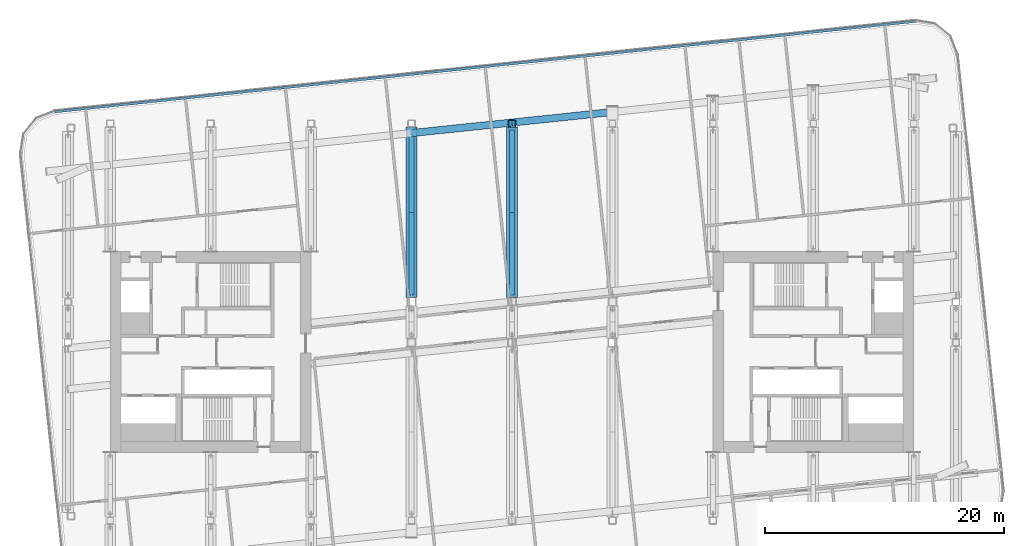
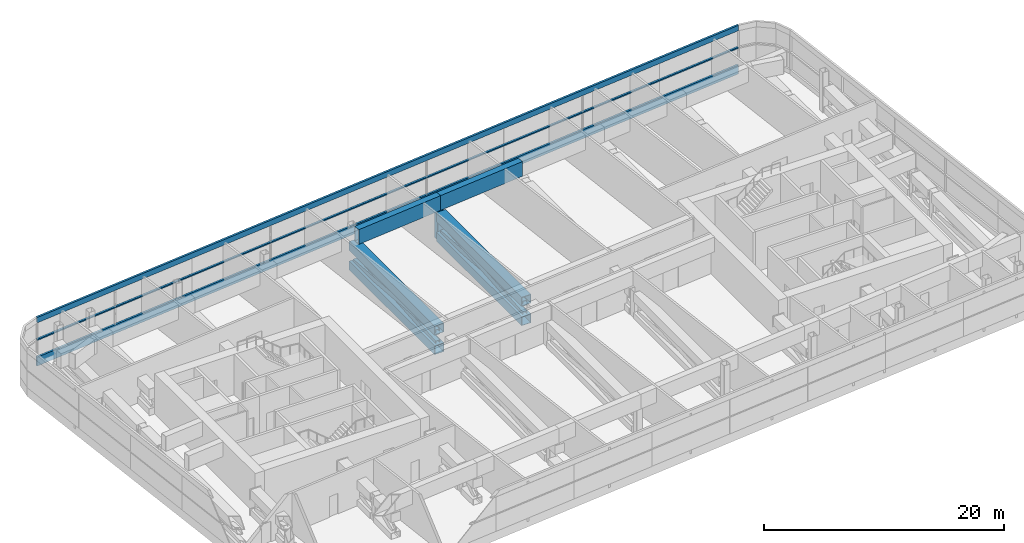
# One storey, part 10 of 33: 12 members, 2 beams, 1 element without a shape of its own.
"""IFC4 building model written with IfcOpenShell, lengths in metres."""

from ifc_helpers import new_model, si_unit, direction, frame, origin, origin_2d, place, context, subcontext, project, spatial, rectangle, hollow_rectangle, extrude, material, layer, layer_set, material_profile, profile_set, type_object, element, aggregate, save


model = new_model("IFC4")

# Units and contexts
model_context = context("Model", 3, precision=1e-05, world=origin(), true_north=direction((0.0, 1.0)))
body_context = subcontext(model_context, "Body", "Model", "MODEL_VIEW")
ifc_project = project(units=[si_unit("LENGTHUNIT", "METRE"), si_unit("AREAUNIT", "SQUARE_METRE"), si_unit("VOLUMEUNIT", "CUBIC_METRE"), si_unit("PLANEANGLEUNIT", "RADIAN"), si_unit("MASSUNIT", "GRAM", prefix="KILO")], contexts=[model_context])

# Site, building, storey
site_placement = place(None, origin())
site = spatial("IfcSite", under=ifc_project, at=site_placement, CompositionType="ELEMENT")
building_placement = place(site_placement, origin())
building = spatial("IfcBuilding", under=site, at=building_placement, Name="Hakoniwa Tower and Hamabe Station Hall", CompositionType="ELEMENT")
storey_placement = place(building_placement, frame((0.0, 0.0, 228.199951171875)))
storey = spatial("IfcBuildingStorey", under=building, at=storey_placement, Name="L65", CompositionType="ELEMENT", Elevation=228.199951171875)

# Curtain wall, members
ifc_material_1 = material(Name="Dark low-e laminated glass", Category="glass")
ifc_layer = layer(ifc_material_1, 0.199951171875)
ifc_layer_set = layer_set([ifc_layer], Name="CW-6 PLANT LOUVRE")
curtain_wall_type = type_object("IfcCurtainWallType", Name="CW-6 PLANT LOUVRE", PredefinedType="NOTDEFINED", material=ifc_layer_set)
curtain_wall_placement = place(storey_placement, origin())
curtain_wall = element("IfcCurtainWall", 1, at=curtain_wall_placement, inside=storey, type_object=curtain_wall_type, Name="CW-6 curtain wall", PredefinedType="NOTDEFINED")
ifc_material_2 = material(Name="Aluminium 6063-T5 black anodised", Category="aluminium")
ifc_material_profile_1 = material_profile(ifc_material_2, rectangle(XDim=0.199951171875, YDim=0.550048828125, at=origin_2d()), Name="CW HEAD BAND 550X200")
ifc_profile_set_1 = profile_set([ifc_material_profile_1], Name="Aluminium 6063-T5 black anodised")
member_type_1 = type_object("IfcMemberType", Name="CW HEAD BAND 550X200", PredefinedType="USERDEFINED", material=ifc_profile_set_1)
member_1_placement = place(storey_placement, frame((33.729736328125, 27.65380859375, 4.125), z_axis=(-0.994521860218, -0.104528797697, 0.0), x_axis=(0.104528797697, -0.994521860218, 0.0)))
member_1 = element("IfcMember", 2, at=member_1_placement, type_object=member_type_1, Name="CW-6 transom", ObjectType="TRANSOM", PredefinedType="USERDEFINED", context=body_context, shape_type="SweptSolid", body=[
    extrude(rectangle(XDim=0.199951171875, YDim=0.550048828125, at=origin_2d()), origin(), (0.0, 0.0, 1.0), 72.348388671875),
])
ifc_material_3 = material(Name="Aluminium 6063-T5 black anodised", Category="aluminium")
ifc_material_profile_2 = material_profile(ifc_material_3, rectangle(XDim=0.199951171875, YDim=0.1201171875, at=origin_2d()), Name="CW MID TRANSOM 120X200")
ifc_profile_set_2 = profile_set([ifc_material_profile_2], Name="Aluminium 6063-T5 black anodised")
member_type_2 = type_object("IfcMemberType", Name="CW MID TRANSOM 120X200", PredefinedType="USERDEFINED", material=ifc_profile_set_2)
member_2_placement = place(storey_placement, frame((33.729736328125, 27.65380859375, 2.10009765625), z_axis=(-0.994521860218, -0.104528797697, 0.0), x_axis=(0.104528797697, -0.994521860218, 0.0)))
member_2 = element("IfcMember", 3, at=member_2_placement, type_object=member_type_2, Name="CW-6 transom", ObjectType="TRANSOM", PredefinedType="USERDEFINED", context=body_context, shape_type="SweptSolid", body=[
    extrude(rectangle(XDim=0.199951171875, YDim=0.1201171875, at=origin_2d()), origin(), (0.0, 0.0, 1.0), 72.348388671875),
])
ifc_material_4 = material(Name="Aluminium 6063-T5 black anodised", Category="aluminium")
ifc_material_profile_3 = material_profile(ifc_material_4, rectangle(XDim=0.199951171875, YDim=0.89990234375, at=origin_2d()), Name="CW SLAB-EDGE BAND 900X200")
ifc_profile_set_3 = profile_set([ifc_material_profile_3], Name="Aluminium 6063-T5 black anodised")
member_type_3 = type_object("IfcMemberType", Name="CW SLAB-EDGE BAND 900X200", PredefinedType="USERDEFINED", material=ifc_profile_set_3)
member_3_placement = place(storey_placement, frame((33.729736328125, 27.65380859375, -0.099853515625), z_axis=(-0.994521860218, -0.104528797697, 0.0), x_axis=(0.104528797697, -0.994521860218, 0.0)))
member_3 = element("IfcMember", 4, at=member_3_placement, type_object=member_type_3, Name="CW-6 transom", ObjectType="TRANSOM", PredefinedType="USERDEFINED", context=body_context, shape_type="SweptSolid", body=[
    extrude(rectangle(XDim=0.199951171875, YDim=0.89990234375, at=origin_2d()), origin(), (0.0, 0.0, 1.0), 72.348388671875),
])
aggregate(curtain_wall, [member_3, member_2, member_1])

# Beams
ifc_material_5 = material(Name="Steel SN490C", Category="steel")
ifc_material_profile_4 = material_profile(ifc_material_5, hollow_rectangle(XDim=0.60009765625, YDim=1.5, WallThickness=0.054931640625, at=origin_2d()), Name="BX-1500x600x55")
ifc_profile_set_4 = profile_set([ifc_material_profile_4], Name="Steel SN490C")
beam_type = type_object("IfcBeamType", Name="TRANSFER GIRDER BX-1500x600x55", PredefinedType="BEAM", material=ifc_profile_set_4)
for number, where, z_axis, x_axis, name in (
    (5, (-8.39990234375, 18.30859375, 3.35009765625), (0.994522545364, 0.10452227879, 0.0), (-0.10452227879, 0.994522545364, 0.0), "Truss T4-S-F5-G5"),
    (6, (0.0, 19.19140625, 3.35009765625), (0.994522545364, 0.10452227879, 0.0), (-0.10452227879, 0.994522545364, 0.0), "Truss T4-S-F5-G6"),
):
    element("IfcBeam", number, at=place(storey_placement, frame(where, z_axis=z_axis, x_axis=x_axis)), inside=storey, type_object=beam_type, Name=name, PredefinedType="BEAM", context=body_context, shape_type="SweptSolid", body=[
        extrude(hollow_rectangle(XDim=0.60009765625, YDim=1.5, WallThickness=0.054931640625, at=origin_2d()), origin(), (0.0, 0.0, 1.0), 8.446044921875),
    ])

# Members
ifc_material_6 = material(Name="Steel SN490C", Category="steel")
ifc_material_profile_5 = material_profile(ifc_material_6, hollow_rectangle(XDim=0.89990234375, YDim=0.89990234375, WallThickness=0.035888671875, at=origin_2d()), Name="BX-900x900x36")
ifc_profile_set_5 = profile_set([ifc_material_profile_5], Name="Steel SN490C")
member_type_4 = type_object("IfcMemberType", Name="TRUSS CHORD BX-900x900x36", PredefinedType="CHORD", material=ifc_profile_set_5)
for number, where, z_axis, x_axis, name in (
    (7, (-8.39990234375, 4.550048828125, 0.150146484375), (0.0, 1.0, 0.0), (-1.0, 0.0, 0.0), "Truss T4-09-BC03"),
    (8, (-8.39990234375, 4.550048828125, 2.150146484375), (0.0, 1.0, 0.0), (-1.0, 0.0, 0.0), "Truss T4-09-TC03"),
    (9, (0.0, 4.550048828125, 0.150146484375), (0.0, 1.0, 0.0), (-1.0, 0.0, 0.0), "Truss T4-10-BC03"),
    (10, (0.0, 4.550048828125, 2.150146484375), (0.0, 1.0, 0.0), (-1.0, 0.0, 0.0), "Truss T4-10-TC03"),
):
    element("IfcMember", number, at=place(storey_placement, frame(where, z_axis=z_axis, x_axis=x_axis)), inside=storey, type_object=member_type_4, Name=name, PredefinedType="CHORD", context=body_context, shape_type="SweptSolid", body=[
        extrude(hollow_rectangle(XDim=0.89990234375, YDim=0.89990234375, WallThickness=0.035888671875, at=origin_2d()), origin(), (0.0, 0.0, 1.0), 14.25),
    ])
ifc_material_7 = material(Name="Steel SN490C", Category="steel")
ifc_material_profile_6 = material_profile(ifc_material_7, hollow_rectangle(XDim=0.39990234375, YDim=0.5, WallThickness=0.02197265625, at=origin_2d()), Name="BX-500x400x22")
ifc_profile_set_6 = profile_set([ifc_material_profile_6], Name="Steel SN490C")
member_type_5 = type_object("IfcMemberType", Name="TRUSS DIAGONAL BX-500x400x22", PredefinedType="BRACE", material=ifc_profile_set_6)
for number, where, z_axis, x_axis, name in (
    (11, (-8.39990234375, 4.800048828125, 0.60009765625), (0.0, 0.996816122637, 0.079734670321), (-1.0, 0.0, 0.0), "Truss T4-09-D03a"),
    (12, (-8.39990234375, 4.800048828125, 1.699951171875), (0.0, 0.996816122637, -0.079734670321), (-1.0, 0.0, 0.0), "Truss T4-09-D03b"),
    (13, (0.0, 4.800048828125, 0.60009765625), (0.0, 0.996816122637, 0.079734670321), (-1.0, 0.0, 0.0), "Truss T4-10-D03a"),
    (14, (0.0, 4.800048828125, 1.699951171875), (0.0, 0.996816122637, -0.079734670321), (-1.0, 0.0, 0.0), "Truss T4-10-D03b"),
):
    element("IfcMember", number, at=place(storey_placement, frame(where, z_axis=z_axis, x_axis=x_axis)), inside=storey, type_object=member_type_5, Name=name, PredefinedType="BRACE", context=body_context, shape_type="SweptSolid", body=[
        extrude(hollow_rectangle(XDim=0.39990234375, YDim=0.5, WallThickness=0.02197265625, at=origin_2d()), origin(), (0.0, 0.0, 1.0), 13.7939453125),
    ])
ifc_material_8 = material(Name="Steel BCP325", Category="steel")
ifc_material_profile_7 = material_profile(ifc_material_8, hollow_rectangle(XDim=0.60009765625, YDim=0.60009765625, WallThickness=0.02490234375, InnerFilletRadius=0.03759765625, OuterFilletRadius=0.0625, at=origin_2d()), Name="BCP-600x600x25")
ifc_profile_set_7 = profile_set([ifc_material_profile_7], Name="Steel BCP325")
member_type_6 = type_object("IfcMemberType", Name="TRUSS POST BCP-600x600x25", PredefinedType="POST", material=ifc_profile_set_7)
member_4_placement = place(storey_placement, frame((0.0, 19.10009765625, -0.300048828125), z_axis=(0.0, 0.0, 1.0), x_axis=(1.0, 0.0, 0.0)))
element("IfcMember", 15, at=member_4_placement, inside=storey, type_object=member_type_6, Name="Truss T4-10-P04", PredefinedType="POST", context=body_context, shape_type="SweptSolid", body=[
    extrude(hollow_rectangle(XDim=0.60009765625, YDim=0.60009765625, WallThickness=0.02490234375, InnerFilletRadius=0.03759765625, OuterFilletRadius=0.0625, at=origin_2d()), origin(), (0.0, 0.0, 1.0), 2.900146484375),
])

save(model, "model.ifc")
